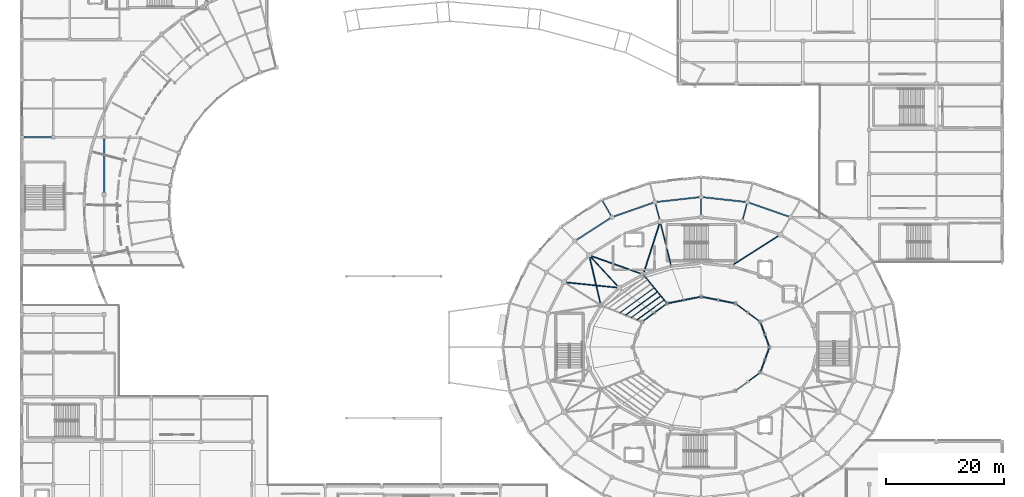
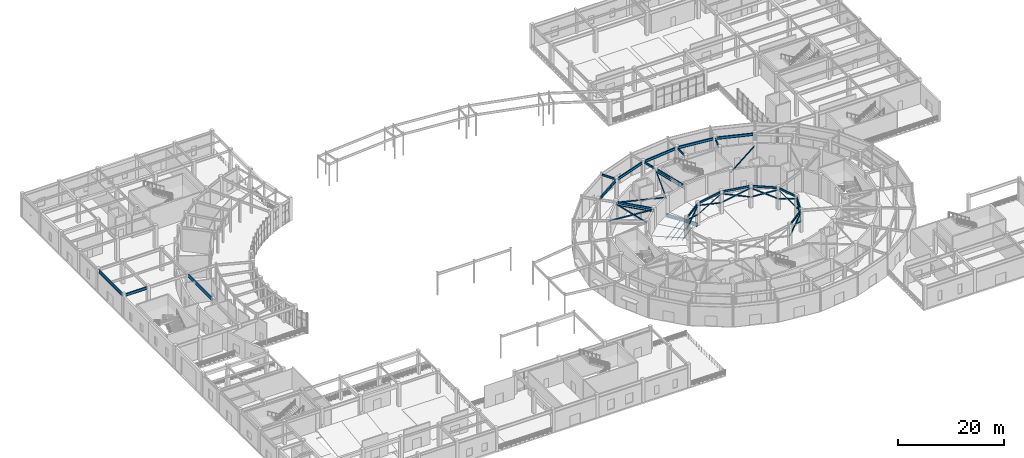
# One storey, part 26 of 93: 34 members, 22 beams.
"""IFC4 building model written with IfcOpenShell, lengths in metres."""

from ifc_helpers import new_model, si_unit, direction, frame, origin, origin_2d, place, context, subcontext, project, spatial, hollow_rectangle, hollow_circle, i_section, extrude, material, material_profile, profile_set, type_object, element, save


model = new_model("IFC4")

# Units and contexts
model_context = context("Model", 3, precision=1e-05, world=origin(), true_north=direction((0.0, 1.0)))
body_context = subcontext(model_context, "Body", "Model", "MODEL_VIEW")
ifc_project = project(units=[si_unit("LENGTHUNIT", "METRE"), si_unit("AREAUNIT", "SQUARE_METRE"), si_unit("VOLUMEUNIT", "CUBIC_METRE"), si_unit("PLANEANGLEUNIT", "RADIAN"), si_unit("MASSUNIT", "GRAM", prefix="KILO")], contexts=[model_context])

# Site, building, storey
site_placement = place(None, origin())
site = spatial("IfcSite", under=ifc_project, at=site_placement, CompositionType="ELEMENT")
building_placement = place(site_placement, origin())
building = spatial("IfcBuilding", under=site, at=building_placement, Name="Cinderbank Siding Concert Hall", CompositionType="ELEMENT")
storey_placement = place(building_placement, origin())
storey = spatial("IfcBuildingStorey", under=building, at=storey_placement, Name="L01", CompositionType="ELEMENT", Elevation=0.0)

# Beams
ifc_material_1 = material(Name="Structural steel AS/NZS 3679.1 Grade 350 (340 MPa)", Category="steel")
ifc_material_profile_1 = material_profile(ifc_material_1, i_section(OverallWidth=0.18994140625, OverallDepth=0.45751953125, WebThickness=0.009033203125, FlangeThickness=0.014404296875, at=origin_2d()), Name="460UB74.6", Category="LoadBearing")
ifc_profile_set_1 = profile_set([ifc_material_profile_1], Name="Structural steel AS/NZS 3679.1 Grade 350 (340 MPa)")
beam_type_1 = type_object("IfcBeamType", Name="BM-UB460 460UB74.6", PredefinedType="BEAM", material=ifc_profile_set_1)
beam_1_placement = place(storey_placement, frame((133.45068359375, 44.274658203125, 4.893310546875), z_axis=(-0.340357494057, 0.940296110935, 0.0), x_axis=(-0.940296110935, -0.340357494057, 0.0)))
element("IfcBeam", 1, at=beam_1_placement, inside=storey, type_object=beam_type_1, Name="L01 Beam BM-UB460 #148", PredefinedType="BEAM", context=body_context, shape_type="SweptSolid", body=[
    extrude(i_section(OverallWidth=0.18994140625, OverallDepth=0.45751953125, WebThickness=0.009033203125, FlangeThickness=0.014404296875, at=origin_2d()), origin(), (0.0, 0.0, 1.0), 3.96240234375),
])
beam_2_placement = place(storey_placement, frame((131.767822265625, 48.44873046875, 4.893310546875), z_axis=(-0.803737525345, 0.594984025291, 0.0), x_axis=(-0.594984025291, -0.803737525345, 0.0)))
element("IfcBeam", 2, at=beam_2_placement, inside=storey, type_object=beam_type_1, Name="L01 Beam BM-UB460 #149", PredefinedType="BEAM", context=body_context, shape_type="SweptSolid", body=[
    extrude(i_section(OverallWidth=0.18994140625, OverallDepth=0.45751953125, WebThickness=0.009033203125, FlangeThickness=0.014404296875, at=origin_2d()), origin(), (0.0, 0.0, 1.0), 4.67578125),
])
for number, where, z_axis, x_axis, name in (
    (3, (127.488525390625, 51.461181640625, 4.893310546875), (-0.980885780775, 0.19458439062, 0.0), (-0.19458439062, -0.980885780775, 0.0), "L01 Beam BM-UB460 #151"),
    (4, (121.713623046875, 52.4931640625, 4.893310546875), (-0.980885780775, -0.19458439062, 0.0), (0.19458439062, -0.980885780775, 0.0), "L01 Beam BM-UB460 #152"),
):
    element("IfcBeam", number, at=place(storey_placement, frame(where, z_axis=z_axis, x_axis=x_axis)), inside=storey, type_object=beam_type_1, Name=name, PredefinedType="BEAM", context=body_context, shape_type="SweptSolid", body=[
        extrude(i_section(OverallWidth=0.18994140625, OverallDepth=0.45751953125, WebThickness=0.009033203125, FlangeThickness=0.014404296875, at=origin_2d()), origin(), (0.0, 0.0, 1.0), 5.303466796875),
    ])
for number, where, z_axis, x_axis, name in (
    (5, (115.990234375, 51.230712890625, 4.893310546875), (-0.803737525345, -0.594984025291, 0.0), (0.594984025291, -0.803737525345, 0.0), "L01 Beam BM-UB460 #153"),
    (6, (128.009765625, 36.769287109375, 4.893310546875), (0.803737525345, 0.594984025291, 0.0), (-0.594984025291, 0.803737525345, 0.0), "L01 Beam BM-UB460 #159"),
):
    element("IfcBeam", number, at=place(storey_placement, frame(where, z_axis=z_axis, x_axis=x_axis)), inside=storey, type_object=beam_type_1, Name=name, PredefinedType="BEAM", context=body_context, shape_type="SweptSolid", body=[
        extrude(i_section(OverallWidth=0.18994140625, OverallDepth=0.45751953125, WebThickness=0.009033203125, FlangeThickness=0.014404296875, at=origin_2d()), origin(), (0.0, 0.0, 1.0), 4.67578125),
    ])
beam_3_placement = place(storey_placement, frame((132.10205078125, 39.99951171875, 4.893310546875), z_axis=(0.340357494057, 0.940296110935, 0.0), x_axis=(-0.940296110935, 0.340357494057, 0.0)))
element("IfcBeam", 7, at=beam_3_placement, inside=storey, type_object=beam_type_1, Name="L01 Beam BM-UB460 #160", PredefinedType="BEAM", context=body_context, shape_type="SweptSolid", body=[
    extrude(i_section(OverallWidth=0.18994140625, OverallDepth=0.45751953125, WebThickness=0.009033203125, FlangeThickness=0.014404296875, at=origin_2d()), origin(), (0.0, 0.0, 1.0), 3.96240234375),
])
ifc_material_profile_2 = material_profile(ifc_material_1, i_section(OverallWidth=0.19091796875, OverallDepth=0.46044921875, WebThickness=0.010009765625, FlangeThickness=0.01611328125, at=origin_2d()), Name="460UB82.1", Category="LoadBearing")
ifc_profile_set_2 = profile_set([ifc_material_profile_2], Name="Structural steel AS/NZS 3679.1 Grade 350 (340 MPa)")
beam_type_2 = type_object("IfcBeamType", Name="BM-UB460H 460UB82.1", PredefinedType="BEAM", material=ifc_profile_set_2)
beam_4_placement = place(storey_placement, frame((129.044189453125, 65.6533203125, 4.891845703125), z_axis=(0.258818505844, 0.965925970783, 0.0), x_axis=(-0.965925970783, 0.258818505844, 0.0)))
element("IfcBeam", 8, at=beam_4_placement, inside=storey, type_object=beam_type_2, Name="L01 Beam BM-UB460H #398", PredefinedType="BEAM", context=body_context, shape_type="SweptSolid", body=[
    extrude(i_section(OverallWidth=0.19091796875, OverallDepth=0.46044921875, WebThickness=0.010009765625, FlangeThickness=0.01611328125, at=origin_2d()), origin(), (0.0, 0.0, 1.0), 2.61572265625),
])
beam_5_placement = place(storey_placement, frame((122.0, 66.4169921875, 4.891845703125), z_axis=(0.0, 1.0, 0.0), x_axis=(-1.0, 0.0, 0.0)))
element("IfcBeam", 9, at=beam_5_placement, inside=storey, type_object=beam_type_2, Name="L01 Beam BM-UB460H #399", PredefinedType="BEAM", context=body_context, shape_type="SweptSolid", body=[
    extrude(i_section(OverallWidth=0.19091796875, OverallDepth=0.46044921875, WebThickness=0.010009765625, FlangeThickness=0.01611328125, at=origin_2d()), origin(), (0.0, 0.0, 1.0), 2.615966796875),
])
beam_6_placement = place(storey_placement, frame((114.955810546875, 65.6533203125, 4.891845703125), z_axis=(-0.258818505844, 0.965925970783, 0.0), x_axis=(-0.965925970783, -0.258818505844, 0.0)))
element("IfcBeam", 10, at=beam_6_placement, inside=storey, type_object=beam_type_2, Name="L01 Beam BM-UB460H #400", PredefinedType="BEAM", context=body_context, shape_type="SweptSolid", body=[
    extrude(i_section(OverallWidth=0.19091796875, OverallDepth=0.46044921875, WebThickness=0.010009765625, FlangeThickness=0.01611328125, at=origin_2d()), origin(), (0.0, 0.0, 1.0), 2.61572265625),
])
beam_7_placement = place(storey_placement, frame((106.716552734375, 66.314697265625, 4.871826171875), z_axis=(-0.499988053408, 0.866032301043, 0.0), x_axis=(-0.866032301043, -0.499988053408, 0.0)))
element("IfcBeam", 11, at=beam_7_placement, inside=storey, type_object=beam_type_2, Name="L01 Beam BM-UB460H #424", PredefinedType="BEAM", context=body_context, shape_type="SweptSolid", body=[
    extrude(i_section(OverallWidth=0.19091796875, OverallDepth=0.46044921875, WebThickness=0.010009765625, FlangeThickness=0.01611328125, at=origin_2d()), origin(), (0.0, 0.0, 1.0), 2.837890625),
])
ifc_material_profile_3 = material_profile(ifc_material_1, i_section(OverallWidth=0.208984375, OverallDepth=0.532958984375, WebThickness=0.01025390625, FlangeThickness=0.015625, at=origin_2d()), Name="530UB92.4", Category="LoadBearing")
ifc_profile_set_3 = profile_set([ifc_material_profile_3], Name="Structural steel AS/NZS 3679.1 Grade 350 (340 MPa)")
beam_type_3 = type_object("IfcBeamType", Name="BM-UB530H 530UB92.4", PredefinedType="BEAM", material=ifc_profile_set_3)
beam_8_placement = place(storey_placement, frame((116.193115234375, 51.443115234375, -0.25146484375), z_axis=(-0.625608960275, 0.760554810205, 0.173694586838), x_axis=(-0.772294012286, -0.635265266316, 0.0)))
element("IfcBeam", 12, at=beam_8_placement, inside=storey, type_object=beam_type_3, Name="L01 Beam BM-UB530H #96", PredefinedType="BEAM", context=body_context, shape_type="SweptSolid", body=[
    extrude(i_section(OverallWidth=0.208984375, OverallDepth=0.532958984375, WebThickness=0.01025390625, FlangeThickness=0.015625, at=origin_2d()), origin(), (0.0, 0.0, 1.0), 6.33203125),
])
beam_9_placement = place(storey_placement, frame((116.881103515625, 57.902587890625, 4.87548828125), z_axis=(-0.240101280931, 0.970747843106, 0.0), x_axis=(-0.970747843106, -0.240101280931, 0.0)))
element("IfcBeam", 13, at=beam_9_placement, inside=storey, type_object=beam_type_3, Name="L01 Beam BM-UB530H #382", PredefinedType="BEAM", context=body_context, shape_type="SweptSolid", body=[
    extrude(i_section(OverallWidth=0.208984375, OverallDepth=0.532958984375, WebThickness=0.01025390625, FlangeThickness=0.015625, at=origin_2d()), origin(), (0.0, 0.0, 1.0), 7.15234375),
])
beam_10_placement = place(storey_placement, frame((107.891845703125, 54.310546875, 4.87548828125), z_axis=(-0.678286136471, 0.734797874977, 0.0), x_axis=(-0.734797874977, -0.678286136471, 0.0)))
element("IfcBeam", 14, at=beam_10_placement, inside=storey, type_object=beam_type_3, Name="L01 Beam BM-UB530H #383", PredefinedType="BEAM", context=body_context, shape_type="SweptSolid", body=[
    extrude(i_section(OverallWidth=0.208984375, OverallDepth=0.532958984375, WebThickness=0.01025390625, FlangeThickness=0.015625, at=origin_2d()), origin(), (0.0, 0.0, 1.0), 6.72216796875),
])
ifc_material_profile_4 = material_profile(ifc_material_1, i_section(OverallWidth=0.22802734375, OverallDepth=0.602294921875, WebThickness=0.010498046875, FlangeThickness=0.014892578125, at=origin_2d()), Name="610UB101", Category="LoadBearing")
ifc_profile_set_4 = profile_set([ifc_material_profile_4], Name="Structural steel AS/NZS 3679.1 Grade 350 (340 MPa)")
beam_type_4 = type_object("IfcBeamType", Name="BM-UB610 610UB101", PredefinedType="BEAM", material=ifc_profile_set_4)
beam_11_placement = place(storey_placement, frame((7.4169921875, 79.5, 4.8408203125), z_axis=(1.0, 0.0, 0.0), x_axis=(0.0, 1.0, 0.0)))
element("IfcBeam", 15, at=beam_11_placement, inside=storey, type_object=beam_type_4, Name="L01 Beam BM-UB610 #1425", PredefinedType="BEAM", context=body_context, shape_type="SweptSolid", body=[
    extrude(i_section(OverallWidth=0.22802734375, OverallDepth=0.602294921875, WebThickness=0.010498046875, FlangeThickness=0.014892578125, at=origin_2d()), origin(), (0.0, 0.0, 1.0), 4.666015625),
])
ifc_material_profile_5 = material_profile(ifc_material_1, i_section(OverallWidth=0.22802734375, OverallDepth=0.60693359375, WebThickness=0.01123046875, FlangeThickness=0.017333984375, at=origin_2d()), Name="610UB113", Category="LoadBearing")
ifc_profile_set_5 = profile_set([ifc_material_profile_5], Name="Structural steel AS/NZS 3679.1 Grade 350 (340 MPa)")
beam_type_5 = type_object("IfcBeamType", Name="BM-UB610M 610UB113", PredefinedType="BEAM", material=ifc_profile_set_5)
beam_12_placement = place(storey_placement, frame((136.75341796875, 66.11767578125, 4.798583984375), z_axis=(-0.944329139602, 0.329002243303, 0.0), x_axis=(-0.329002243303, -0.944329139602, 0.0)))
element("IfcBeam", 16, at=beam_12_placement, inside=storey, type_object=beam_type_5, Name="L01 Beam BM-UB610M #337", PredefinedType="BEAM", context=body_context, shape_type="SweptSolid", body=[
    extrude(i_section(OverallWidth=0.22802734375, OverallDepth=0.60693359375, WebThickness=0.01123046875, FlangeThickness=0.017333984375, at=origin_2d()), origin(), (0.0, 0.0, 1.0), 6.97900390625),
])
for number, where, z_axis, x_axis, name in (
    (17, (129.451416015625, 68.574951171875, 4.798583984375), (-0.993925837604, 0.1100519393, 0.0), (-0.1100519393, -0.993925837604, 0.0), "L01 Beam BM-UB610M #338"),
    (18, (121.63525390625, 69.359619140625, 4.798583984375), (-0.993925837604, -0.1100519393, 0.0), (0.1100519393, -0.993925837604, 0.0), "L01 Beam BM-UB610M #339"),
):
    element("IfcBeam", number, at=place(storey_placement, frame(where, z_axis=z_axis, x_axis=x_axis)), inside=storey, type_object=beam_type_5, Name=name, PredefinedType="BEAM", context=body_context, shape_type="SweptSolid", body=[
        extrude(i_section(OverallWidth=0.22802734375, OverallDepth=0.60693359375, WebThickness=0.01123046875, FlangeThickness=0.017333984375, at=origin_2d()), origin(), (0.0, 0.0, 1.0), 7.1298828125),
    ])
beam_13_placement = place(storey_placement, frame((113.837158203125, 68.413818359375, 4.798583984375), z_axis=(-0.944329139602, -0.329002243303, 0.0), x_axis=(0.329002243303, -0.944329139602, 0.0)))
element("IfcBeam", 19, at=beam_13_placement, inside=storey, type_object=beam_type_5, Name="L01 Beam BM-UB610M #340", PredefinedType="BEAM", context=body_context, shape_type="SweptSolid", body=[
    extrude(i_section(OverallWidth=0.22802734375, OverallDepth=0.60693359375, WebThickness=0.01123046875, FlangeThickness=0.017333984375, at=origin_2d()), origin(), (0.0, 0.0, 1.0), 6.97900390625),
])
beam_14_placement = place(storey_placement, frame((106.591552734375, 65.798095703125, 4.798583984375), z_axis=(-0.840198253685, -0.542279350984, 0.0), x_axis=(0.542279350984, -0.840198253685, 0.0)))
element("IfcBeam", 20, at=beam_14_placement, inside=storey, type_object=beam_type_5, Name="L01 Beam BM-UB610M #341", PredefinedType="BEAM", context=body_context, shape_type="SweptSolid", body=[
    extrude(i_section(OverallWidth=0.22802734375, OverallDepth=0.60693359375, WebThickness=0.01123046875, FlangeThickness=0.017333984375, at=origin_2d()), origin(), (0.0, 0.0, 1.0), 6.7099609375),
])
ifc_material_2 = material(Name="Structural steel welded plate section AS/NZS 3679.2 / AS/NZS 3678 Grade 350 (340 MPa)", Category="steel")
ifc_material_profile_6 = material_profile(ifc_material_2, i_section(OverallWidth=0.25, OverallDepth=0.699951171875, WebThickness=0.010009765625, FlangeThickness=0.01611328125, at=origin_2d()), Name="700WB130", Category="LoadBearing")
ifc_profile_set_6 = profile_set([ifc_material_profile_6], Name="Structural steel welded plate section AS/NZS 3679.2 / AS/NZS 3678 Grade 350 (340 MPa)")
beam_type_6 = type_object("IfcBeamType", Name="BM-WB700 700WB130", PredefinedType="BEAM", material=ifc_profile_set_6)
for number, where, z_axis, x_axis, name in (
    (21, (7.10009765625, 79.81689453125, 4.7919921875), (0.0, 1.0, 0.0), (-1.0, 0.0, 0.0), "L01 Beam BM-WB700 #1426"),
    (22, (21.0, 70.116943359375, 4.77197265625), (0.0, 1.0, 0.0), (-1.0, 0.0, 0.0), "L01 Beam BM-WB700 #1439"),
):
    element("IfcBeam", number, at=place(storey_placement, frame(where, z_axis=z_axis, x_axis=x_axis)), inside=storey, type_object=beam_type_6, Name=name, PredefinedType="BEAM", context=body_context, shape_type="SweptSolid", body=[
        extrude(i_section(OverallWidth=0.25, OverallDepth=0.699951171875, WebThickness=0.010009765625, FlangeThickness=0.01611328125, at=origin_2d()), origin(), (0.0, 0.0, 1.0), 9.066162109375),
    ])

# Members
ifc_material_3 = material(Name="Structural steel hollow section AS/NZS 1163 Grade C350L0 (350 MPa)", Category="steel")
ifc_material_profile_7 = material_profile(ifc_material_3, hollow_circle(Radius=0.084228515625, WallThickness=0.007080078125, at=origin_2d()), Name="168.3x7.1CHS", Category="LoadBearing")
ifc_profile_set_7 = profile_set([ifc_material_profile_7], Name="Structural steel hollow section AS/NZS 1163 Grade C350L0 (350 MPa)")
member_type_1 = type_object("IfcMemberType", Name="BR-CHS168 168.3x7.1CHS Roof Truss", PredefinedType="BRACE", material=ifc_profile_set_7)
member_1_placement = place(storey_placement, frame((116.22509765625, 51.404541015625, 0.300048828125), z_axis=(-0.631227525704, 0.767335601999, 0.1129065308), x_axis=(-0.772273819235, -0.635289814277, 0.0)))
element("IfcMember", 23, at=member_1_placement, inside=storey, type_object=member_type_1, Name="L01 Diagonal Brace BR-CHS168 #RKDG-BR-CHS168-L01-1921", PredefinedType="BRACE", context=body_context, shape_type="SweptSolid", body=[
    extrude(hollow_circle(Radius=0.084228515625, WallThickness=0.007080078125, at=origin_2d()), origin(), (0.0, 0.0, 1.0), 6.376708984375),
])
member_2_placement = place(storey_placement, frame((112.199951171875, 56.297607421875, 0.300048828125), z_axis=(0.634149540492, -0.770887674564, -0.059887840999), x_axis=(0.772273819235, 0.635289814277, 0.0)))
element("IfcMember", 24, at=member_2_placement, inside=storey, type_object=member_type_1, Name="L01 Diagonal Brace BR-CHS168 #RKDG-BR-CHS168-L01-1922", PredefinedType="BRACE", context=body_context, shape_type="SweptSolid", body=[
    extrude(hollow_circle(Radius=0.084228515625, WallThickness=0.007080078125, at=origin_2d()), origin(), (0.0, 0.0, 1.0), 6.347412109375),
])
member_3_placement = place(storey_placement, frame((133.522705078125, 44.0751953125, 2.39990234375), z_axis=(-0.308608926493, 0.852598398065, 0.421706654092), x_axis=(-0.940297792876, -0.340352847368, 0.0)))
element("IfcMember", 25, at=member_3_placement, inside=storey, type_object=member_type_1, Name="L01 Diagonal Brace BR-CHS168 #RKCR-BR-CHS168-L01-2022", PredefinedType="BRACE", context=body_context, shape_type="SweptSolid", body=[
    extrude(hollow_circle(Radius=0.084228515625, WallThickness=0.007080078125, at=origin_2d()), origin(), (0.0, 0.0, 1.0), 4.837646484375),
])
for number, where, z_axis, x_axis, name in (
    (26, (132.02978515625, 48.19970703125, 2.39990234375), (0.308655727713, -0.852535761244, 0.421799025071), (0.940273268488, 0.34042059363, 0.0), "L01 Diagonal Brace BR-CHS168 #RKCR-BR-CHS168-L01-2023"),
    (27, (132.781005859375, 46.124755859375, 3.42626953125), (0.308550332303, -0.852626741173, 0.421692225056), (0.940322092228, 0.340285707705, 0.0), "L01 Diagonal Brace BR-CHS168 #RKCR-BR-CHS168-L01-2023-S165"),
):
    element("IfcMember", number, at=place(storey_placement, frame(where, z_axis=z_axis, x_axis=x_axis)), inside=storey, type_object=member_type_1, Name=name, PredefinedType="BRACE", context=body_context, shape_type="SweptSolid", body=[
        extrude(hollow_circle(Radius=0.084228515625, WallThickness=0.007080078125, at=origin_2d()), origin(), (0.0, 0.0, 1.0), 2.40380859375),
    ])
member_4_placement = place(storey_placement, frame((131.938232421875, 48.322509765625, 2.39990234375), z_axis=(-0.746234310945, 0.552441851852, 0.371405914722), x_axis=(-0.595001989932, -0.803724226322, 0.0)))
element("IfcMember", 28, at=member_4_placement, inside=storey, type_object=member_type_1, Name="L01 Diagonal Brace BR-CHS168 #RKCR-BR-CHS168-L01-2024", PredefinedType="BRACE", context=body_context, shape_type="SweptSolid", body=[
    extrude(hollow_circle(Radius=0.084228515625, WallThickness=0.007080078125, at=origin_2d()), origin(), (0.0, 0.0, 1.0), 5.49267578125),
])
for number, where, z_axis, x_axis, name in (
    (29, (127.83935546875, 51.35693359375, 2.39990234375), (0.74623631097, -0.552459772201, 0.3713752392), (0.595013427463, 0.803715758921, 0.0), "L01 Diagonal Brace BR-CHS168 #RKCR-BR-CHS168-L01-2025"),
    (30, (129.89990234375, 49.83154296875, 3.425537109375), (0.74623631097, -0.552459772201, 0.3713752392), (0.595013427463, 0.803715758921, 0.0), "L01 Diagonal Brace BR-CHS168 #RKCR-BR-CHS168-L01-2025-S166"),
):
    element("IfcMember", number, at=place(storey_placement, frame(where, z_axis=z_axis, x_axis=x_axis)), inside=storey, type_object=member_type_1, Name=name, PredefinedType="BRACE", context=body_context, shape_type="SweptSolid", body=[
        extrude(hollow_circle(Radius=0.084228515625, WallThickness=0.007080078125, at=origin_2d()), origin(), (0.0, 0.0, 1.0), 2.7314453125),
    ])
member_5_placement = place(storey_placement, frame((127.696533203125, 51.420166015625, 2.39990234375), z_axis=(-0.924025557561, 0.183271159216, 0.335542025943), x_axis=(-0.194550158365, -0.980892571019, 0.0)))
element("IfcMember", 31, at=member_5_placement, inside=storey, type_object=member_type_1, Name="L01 Diagonal Brace BR-CHS168 #RKCR-BR-CHS168-L01-2026", PredefinedType="BRACE", context=body_context, shape_type="SweptSolid", body=[
    extrude(hollow_circle(Radius=0.084228515625, WallThickness=0.007080078125, at=origin_2d()), origin(), (0.0, 0.0, 1.0), 6.079833984375),
])
for number, where, z_axis, x_axis, name in (
    (32, (122.07861328125, 52.534423828125, 2.39990234375), (0.923998003375, -0.183298346057, 0.335603048396), (0.19458350852, 0.980885955762, 0.0), "L01 Diagonal Brace BR-CHS168 #RKCR-BR-CHS168-L01-2027"),
    (33, (124.9013671875, 51.974609375, 3.425048828125), (0.92403482777, -0.183289640481, 0.335506400475), (0.194567156265, 0.980889199504, 0.0), "L01 Diagonal Brace BR-CHS168 #RKCR-BR-CHS168-L01-2027-S167"),
):
    element("IfcMember", number, at=place(storey_placement, frame(where, z_axis=z_axis, x_axis=x_axis)), inside=storey, type_object=member_type_1, Name=name, PredefinedType="BRACE", context=body_context, shape_type="SweptSolid", body=[
        extrude(hollow_circle(Radius=0.084228515625, WallThickness=0.007080078125, at=origin_2d()), origin(), (0.0, 0.0, 1.0), 3.02490234375),
    ])
member_6_placement = place(storey_placement, frame((121.92138671875, 52.534423828125, 2.39990234375), z_axis=(-0.924025557561, -0.183271159216, 0.335542025943), x_axis=(0.194550158365, -0.980892571019, 0.0)))
element("IfcMember", 34, at=member_6_placement, inside=storey, type_object=member_type_1, Name="L01 Diagonal Brace BR-CHS168 #RKCR-BR-CHS168-L01-2028", PredefinedType="BRACE", context=body_context, shape_type="SweptSolid", body=[
    extrude(hollow_circle(Radius=0.084228515625, WallThickness=0.007080078125, at=origin_2d()), origin(), (0.0, 0.0, 1.0), 6.079833984375),
])
member_7_placement = place(storey_placement, frame((116.303466796875, 51.420166015625, 2.39990234375), z_axis=(0.924009804474, 0.183284676911, 0.335578021399), x_axis=(-0.194567156265, 0.980889199504, 0.0)))
element("IfcMember", 35, at=member_7_placement, inside=storey, type_object=member_type_1, Name="L01 Diagonal Brace BR-CHS168 #RKCR-BR-CHS168-L01-2029", PredefinedType="BRACE", context=body_context, shape_type="SweptSolid", body=[
    extrude(hollow_circle(Radius=0.084228515625, WallThickness=0.007080078125, at=origin_2d()), origin(), (0.0, 0.0, 1.0), 3.025146484375),
])
member_8_placement = place(storey_placement, frame((119.12646484375, 51.97998046875, 3.425048828125), z_axis=(0.924023030085, 0.183303310737, 0.335531423485), x_axis=(-0.19458350852, 0.980885955762, 0.0)))
element("IfcMember", 36, at=member_8_placement, inside=storey, type_object=member_type_1, Name="L01 Diagonal Brace BR-CHS168 #RKCR-BR-CHS168-L01-2029-S168", PredefinedType="BRACE", context=body_context, shape_type="SweptSolid", body=[
    extrude(hollow_circle(Radius=0.084228515625, WallThickness=0.007080078125, at=origin_2d()), origin(), (0.0, 0.0, 1.0), 3.024658203125),
])
member_9_placement = place(storey_placement, frame((116.16064453125, 51.35693359375, 2.39990234375), z_axis=(-0.746234310945, -0.552441851852, 0.371405914722), x_axis=(0.595001989932, -0.803724226322, 0.0)))
element("IfcMember", 37, at=member_9_placement, inside=storey, type_object=member_type_1, Name="L01 Diagonal Brace BR-CHS168 #RKCR-BR-CHS168-L01-2030", PredefinedType="BRACE", context=body_context, shape_type="SweptSolid", body=[
    extrude(hollow_circle(Radius=0.084228515625, WallThickness=0.007080078125, at=origin_2d()), origin(), (0.0, 0.0, 1.0), 5.49267578125),
])
for number, where, z_axis, x_axis, name in (
    (38, (112.061767578125, 48.322509765625, 2.39990234375), (0.74623631097, 0.552459772201, 0.3713752392), (-0.595013427463, 0.803715758921, 0.0), "L01 Diagonal Brace BR-CHS168 #RKCR-BR-CHS168-L01-2031"),
    (39, (114.122314453125, 49.847900390625, 3.425537109375), (0.74623631097, 0.552459772201, 0.3713752392), (-0.595013427463, 0.803715758921, 0.0), "L01 Diagonal Brace BR-CHS168 #RKCR-BR-CHS168-L01-2031-S169"),
):
    element("IfcMember", number, at=place(storey_placement, frame(where, z_axis=z_axis, x_axis=x_axis)), inside=storey, type_object=member_type_1, Name=name, PredefinedType="BRACE", context=body_context, shape_type="SweptSolid", body=[
        extrude(hollow_circle(Radius=0.084228515625, WallThickness=0.007080078125, at=origin_2d()), origin(), (0.0, 0.0, 1.0), 2.7314453125),
    ])
member_10_placement = place(storey_placement, frame((127.83935546875, 36.64306640625, 2.39990234375), z_axis=(0.746234310945, 0.552441851852, 0.371405914722), x_axis=(-0.595001989932, 0.803724226322, 0.0)))
element("IfcMember", 40, at=member_10_placement, inside=storey, type_object=member_type_1, Name="L01 Diagonal Brace BR-CHS168 #RKCR-BR-CHS168-L01-2042", PredefinedType="BRACE", context=body_context, shape_type="SweptSolid", body=[
    extrude(hollow_circle(Radius=0.084228515625, WallThickness=0.007080078125, at=origin_2d()), origin(), (0.0, 0.0, 1.0), 5.49267578125),
])
member_11_placement = place(storey_placement, frame((131.938232421875, 39.677490234375, 2.39990234375), z_axis=(-0.74623631097, -0.552459772201, 0.3713752392), x_axis=(0.595013427463, -0.803715758921, 0.0)))
element("IfcMember", 41, at=member_11_placement, inside=storey, type_object=member_type_1, Name="L01 Diagonal Brace BR-CHS168 #RKCR-BR-CHS168-L01-2043", PredefinedType="BRACE", context=body_context, shape_type="SweptSolid", body=[
    extrude(hollow_circle(Radius=0.084228515625, WallThickness=0.007080078125, at=origin_2d()), origin(), (0.0, 0.0, 1.0), 2.7314453125),
])
member_12_placement = place(storey_placement, frame((132.02978515625, 39.80029296875, 2.39990234375), z_axis=(0.308608926493, 0.852598398065, 0.421706654092), x_axis=(-0.940297792876, 0.340352847368, 0.0)))
element("IfcMember", 42, at=member_12_placement, inside=storey, type_object=member_type_1, Name="L01 Diagonal Brace BR-CHS168 #RKCR-BR-CHS168-L01-2044", PredefinedType="BRACE", context=body_context, shape_type="SweptSolid", body=[
    extrude(hollow_circle(Radius=0.084228515625, WallThickness=0.007080078125, at=origin_2d()), origin(), (0.0, 0.0, 1.0), 4.837646484375),
])
member_13_placement = place(storey_placement, frame((133.522705078125, 43.9248046875, 2.39990234375), z_axis=(-0.308537116783, -0.852590222315, 0.421775722844), x_axis=(0.940322092228, -0.340285707705, 0.0)))
element("IfcMember", 43, at=member_13_placement, inside=storey, type_object=member_type_1, Name="L01 Diagonal Brace BR-CHS168 #RKCR-BR-CHS168-L01-2045", PredefinedType="BRACE", context=body_context, shape_type="SweptSolid", body=[
    extrude(hollow_circle(Radius=0.084228515625, WallThickness=0.007080078125, at=origin_2d()), origin(), (0.0, 0.0, 1.0), 2.40380859375),
])
member_14_placement = place(storey_placement, frame((132.771728515625, 41.849609375, 3.42626953125), z_axis=(-0.308668949774, -0.852572281804, 0.421715524667), x_axis=(0.940273268488, -0.34042059363, 0.0)))
element("IfcMember", 44, at=member_14_placement, inside=storey, type_object=member_type_1, Name="L01 Diagonal Brace BR-CHS168 #RKCR-BR-CHS168-L01-2045-S176", PredefinedType="BRACE", context=body_context, shape_type="SweptSolid", body=[
    extrude(hollow_circle(Radius=0.084228515625, WallThickness=0.007080078125, at=origin_2d()), origin(), (0.0, 0.0, 1.0), 2.403564453125),
])
ifc_material_profile_8 = material_profile(ifc_material_3, hollow_rectangle(XDim=0.10009765625, YDim=0.199951171875, WallThickness=0.008056640625, at=origin_2d()), Name="200x100x8.0RHS", Category="LoadBearing")
ifc_profile_set_8 = profile_set([ifc_material_profile_8], Name="Structural steel hollow section AS/NZS 1163 Grade C350L0 (350 MPa)")
member_type_2 = type_object("IfcMemberType", Name="PR-RHS200 200x100x8.0RHS Roof Truss", PredefinedType="PURLIN", material=ifc_profile_set_8)
member_15_placement = place(storey_placement, frame((115.741943359375, 51.99169921875, -0.16796875), z_axis=(-0.804873593743, -0.593446289141, 0.0), x_axis=(0.593446289141, -0.804873593743, 0.0)))
element("IfcMember", 45, at=member_15_placement, inside=storey, type_object=member_type_2, Name="L01 Roof Truss Member PR-RHS200 #1956", PredefinedType="PURLIN", context=body_context, shape_type="SweptSolid", body=[
    extrude(hollow_rectangle(XDim=0.10009765625, YDim=0.199951171875, WallThickness=0.008056640625, at=origin_2d()), origin(), (0.0, 0.0, 1.0), 5.691650390625),
])
member_16_placement = place(storey_placement, frame((115.178466796875, 52.6767578125, -0.013916015625), z_axis=(-0.806002667019, -0.591911902869, 0.0), x_axis=(0.591911902869, -0.806002667019, 0.0)))
element("IfcMember", 46, at=member_16_placement, inside=storey, type_object=member_type_2, Name="L01 Roof Truss Member PR-RHS200 #1957", PredefinedType="PURLIN", context=body_context, shape_type="SweptSolid", body=[
    extrude(hollow_rectangle(XDim=0.10009765625, YDim=0.199951171875, WallThickness=0.008056640625, at=origin_2d()), origin(), (0.0, 0.0, 1.0), 6.195556640625),
])
member_17_placement = place(storey_placement, frame((114.614990234375, 53.36181640625, 0.139892578125), z_axis=(-0.806959583064, -0.590606663779, 0.0), x_axis=(0.590606663779, -0.806959583064, 0.0)))
element("IfcMember", 47, at=member_17_placement, inside=storey, type_object=member_type_2, Name="L01 Roof Truss Member PR-RHS200 #1958", PredefinedType="PURLIN", context=body_context, shape_type="SweptSolid", body=[
    extrude(hollow_rectangle(XDim=0.10009765625, YDim=0.199951171875, WallThickness=0.008056640625, at=origin_2d()), origin(), (0.0, 0.0, 1.0), 6.699462890625),
])
member_18_placement = place(storey_placement, frame((114.051513671875, 54.046875, 0.2939453125), z_axis=(-0.807769138252, -0.589498956137, 0.0), x_axis=(0.589498956137, -0.807769138252, 0.0)))
element("IfcMember", 48, at=member_18_placement, inside=storey, type_object=member_type_2, Name="L01 Roof Truss Member PR-RHS200 #1959", PredefinedType="PURLIN", context=body_context, shape_type="SweptSolid", body=[
    extrude(hollow_rectangle(XDim=0.10009765625, YDim=0.199951171875, WallThickness=0.008056640625, at=origin_2d()), origin(), (0.0, 0.0, 1.0), 7.203369140625),
])
member_19_placement = place(storey_placement, frame((116.927001953125, 57.716064453125, 4.239990234375), z_axis=(-0.240070192761, 0.970755531814, 0.0), x_axis=(-0.970755531814, -0.240070192761, 0.0)))
element("IfcMember", 49, at=member_19_placement, inside=storey, type_object=member_type_2, Name="L01 Roof Truss Member PR-RHS200 #2184", PredefinedType="PURLIN", context=body_context, shape_type="SweptSolid", body=[
    extrude(hollow_rectangle(XDim=0.10009765625, YDim=0.199951171875, WallThickness=0.008056640625, at=origin_2d()), origin(), (0.0, 0.0, 1.0), 7.761474609375),
])
member_20_placement = place(storey_placement, frame((108.140625, 54.041015625, 4.239990234375), z_axis=(-0.678276049894, 0.734807185689, 0.0), x_axis=(-0.734807185689, -0.678276049894, 0.0)))
element("IfcMember", 50, at=member_20_placement, inside=storey, type_object=member_type_2, Name="L01 Roof Truss Member PR-RHS200 #2188", PredefinedType="PURLIN", context=body_context, shape_type="SweptSolid", body=[
    extrude(hollow_rectangle(XDim=0.10009765625, YDim=0.199951171875, WallThickness=0.008056640625, at=origin_2d()), origin(), (0.0, 0.0, 1.0), 7.505859375),
])
ifc_material_profile_9 = material_profile(ifc_material_3, hollow_rectangle(XDim=0.14990234375, YDim=0.25, WallThickness=0.009033203125, at=origin_2d()), Name="250x150x9.0RHS", Category="LoadBearing")
ifc_profile_set_9 = profile_set([ifc_material_profile_9], Name="Structural steel hollow section AS/NZS 1163 Grade C350L0 (350 MPa)")
member_type_3 = type_object("IfcMemberType", Name="TR-RHS250 250x150x9.0RHS Roof Truss", PredefinedType="RAFTER", material=ifc_profile_set_9)
member_21_placement = place(storey_placement, frame((116.22509765625, 51.404541015625, 0.300048828125), z_axis=(-0.635289814277, 0.772273819235, 0.0), x_axis=(-0.772273819235, -0.635289814277, 0.0)))
element("IfcMember", 51, at=member_21_placement, inside=storey, type_object=member_type_3, Name="L01 Roof Truss Member TR-RHS250 #1920", PredefinedType="RAFTER", context=body_context, shape_type="SweptSolid", body=[
    extrude(hollow_rectangle(XDim=0.14990234375, YDim=0.25, WallThickness=0.009033203125, at=origin_2d()), origin(), (0.0, 0.0, 1.0), 6.3359375),
])
member_22_placement = place(storey_placement, frame((127.072998046875, 57.716064453125, 4.5), z_axis=(0.841940386591, 0.539570556487, 0.0), x_axis=(-0.539570556487, 0.841940386591, 0.0)))
element("IfcMember", 52, at=member_22_placement, inside=storey, type_object=member_type_3, Name="L01 Roof Truss Member TR-RHS250 #2182", PredefinedType="RAFTER", context=body_context, shape_type="SweptSolid", body=[
    extrude(hollow_rectangle(XDim=0.14990234375, YDim=0.25, WallThickness=0.009033203125, at=origin_2d()), origin(), (0.0, 0.0, 1.0), 9.89013671875),
])
member_23_placement = place(storey_placement, frame((112.199951171875, 56.297607421875, 4.5), z_axis=(0.304664519425, 0.952459726499, 0.0), x_axis=(-0.952459726499, 0.304664519425, 0.0)))
element("IfcMember", 53, at=member_23_placement, inside=storey, type_object=member_type_3, Name="L01 Roof Truss Member TR-RHS250 #2183", PredefinedType="RAFTER", context=body_context, shape_type="SweptSolid", body=[
    extrude(hollow_rectangle(XDim=0.14990234375, YDim=0.25, WallThickness=0.009033203125, at=origin_2d()), origin(), (0.0, 0.0, 1.0), 9.399658203125),
])
member_24_placement = place(storey_placement, frame((112.199951171875, 56.297607421875, 4.780029296875), z_axis=(-0.942041785809, 0.335495564487, 0.0), x_axis=(-0.335495564487, -0.942041785809, 0.0)))
element("IfcMember", 54, at=member_24_placement, inside=storey, type_object=member_type_3, Name="L01 Roof Truss Member TR-RHS250 #2185", PredefinedType="RAFTER", context=body_context, shape_type="SweptSolid", body=[
    extrude(hollow_rectangle(XDim=0.14990234375, YDim=0.25, WallThickness=0.009033203125, at=origin_2d()), origin(), (0.0, 0.0, 1.0), 9.71337890625),
])
member_25_placement = place(storey_placement, frame((108.140625, 54.041015625, 4.780029296875), z_axis=(-0.994781438611, 0.102028865499, 0.0), x_axis=(-0.102028865499, -0.994781438611, 0.0)))
element("IfcMember", 55, at=member_25_placement, inside=storey, type_object=member_type_3, Name="L01 Roof Truss Member TR-RHS250 #2186", PredefinedType="RAFTER", context=body_context, shape_type="SweptSolid", body=[
    extrude(hollow_rectangle(XDim=0.14990234375, YDim=0.25, WallThickness=0.009033203125, at=origin_2d()), origin(), (0.0, 0.0, 1.0), 9.399169921875),
])
member_26_placement = place(storey_placement, frame((105.02587890625, 51.10009765625, 4.5), z_axis=(-0.227577092084, 0.973760066525, 0.0), x_axis=(-0.973760066525, -0.227577092084, 0.0)))
element("IfcMember", 56, at=member_26_placement, inside=storey, type_object=member_type_3, Name="L01 Roof Truss Member TR-RHS250 #2187", PredefinedType="RAFTER", context=body_context, shape_type="SweptSolid", body=[
    extrude(hollow_rectangle(XDim=0.14990234375, YDim=0.25, WallThickness=0.009033203125, at=origin_2d()), origin(), (0.0, 0.0, 1.0), 8.68408203125),
])

save(model, "model.ifc")
